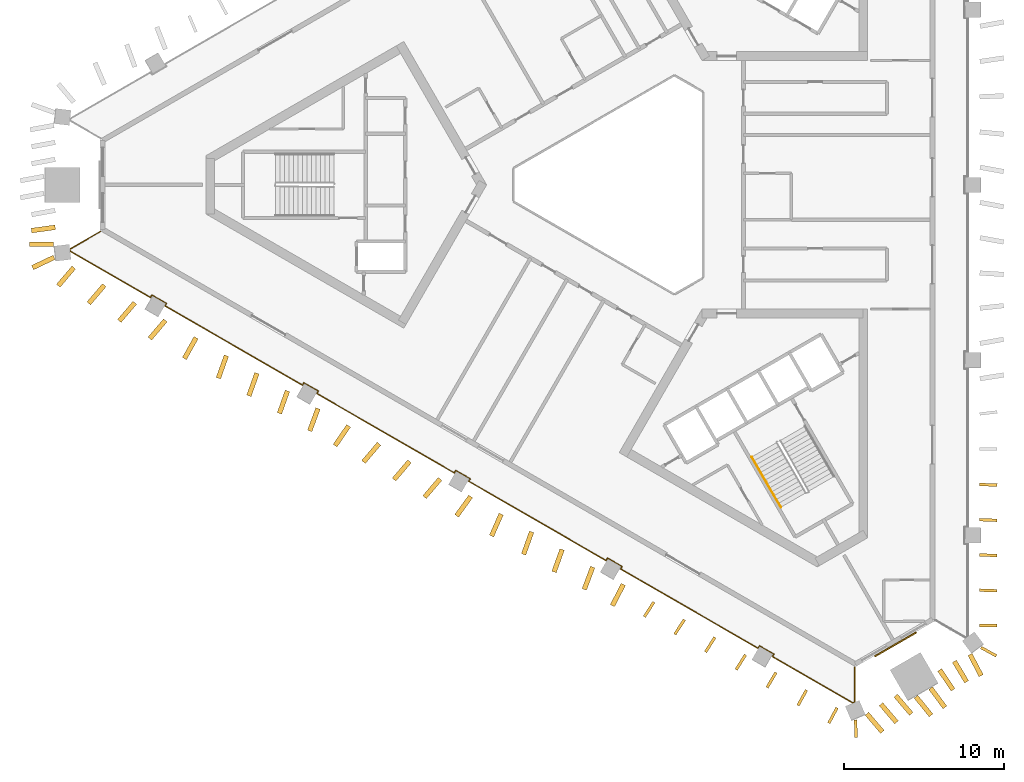
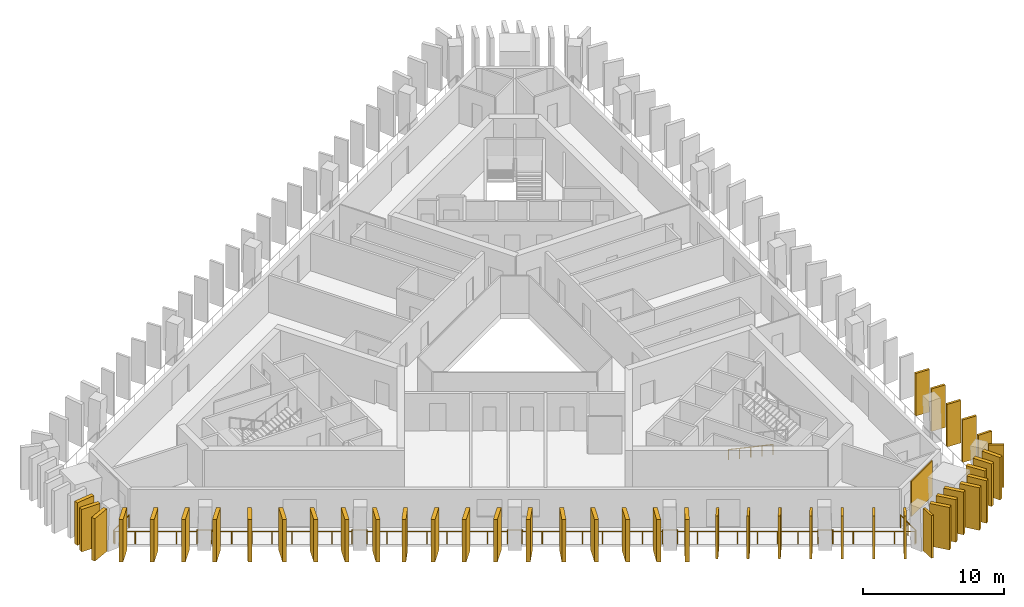
# One storey, part 7 of 10: 44 shading devices, 2 railings, 1 covering.
"""IFC4 building model written with IfcOpenShell, lengths in metres."""

from ifc_helpers import new_model, si_unit, direction, frame, frame_2d, origin, origin_2d, place, context, subcontext, project, spatial, rectangle, circle, extrude, material, layer, layer_set, type_object, element, save


model = new_model("IFC4")

# Units and contexts
model_context = context("Model", 3, precision=1e-05, world=origin(), true_north=direction((0.0, 1.0)))
body_context = subcontext(model_context, "Body", "Model", "MODEL_VIEW")
ifc_project = project(units=[si_unit("LENGTHUNIT", "METRE"), si_unit("AREAUNIT", "SQUARE_METRE"), si_unit("VOLUMEUNIT", "CUBIC_METRE"), si_unit("PLANEANGLEUNIT", "RADIAN"), si_unit("MASSUNIT", "GRAM", prefix="KILO")], contexts=[model_context])

# Site, building, storey
site_placement = place(None, origin())
site = spatial("IfcSite", under=ifc_project, at=site_placement, CompositionType="ELEMENT")
building_placement = place(site_placement, origin())
building = spatial("IfcBuilding", under=site, at=building_placement, Name="Jabali Bay Hotel Tower and Convention Centre", CompositionType="ELEMENT")
storey_placement = place(building_placement, frame((0.0, 0.0, 156.300048828125)))
storey = spatial("IfcBuildingStorey", under=building, at=storey_placement, Name="L37", CompositionType="ELEMENT", Elevation=156.300048828125)

# Railing
ifc_material_1 = material(Name="Glass", Category="glass")
railing_type_1 = type_object("IfcRailingType", Name="Loggia glass guard 1100", PredefinedType="BALUSTRADE", material=ifc_material_1)
railing_1_placement = place(storey_placement, frame((89.071533203125, 49.76318359375, 0.0)))
element("IfcRailing", 1, at=railing_1_placement, inside=storey, type_object=railing_type_1, Name="Loggia glass guard L37", PredefinedType="BALUSTRADE", context=body_context, shape_type="SweptSolid", body=[
    extrude(circle(Radius=0.02490234375, at=origin_2d()), frame((0.0, 0.0, 1.0751953125), z_axis=(0.0, -1.0, 0.0), x_axis=(0.991444861374, 0.0, 0.13052619222)), (0.0, 0.0, 1.0), 2.19287109375),
    extrude(circle(Radius=0.02490234375, at=origin_2d()), frame((0.0, -2.19287109375, 1.0751953125), z_axis=(-0.9195450827, -0.39298453008, 0.0), x_axis=(0.389622492947, -0.911678247044, 0.13052619222)), (0.0, 0.0, 1.0), 0.126220703125),
    extrude(circle(Radius=0.02490234375, at=origin_2d()), frame((-0.115966796875, -2.242431640625, 1.0751953125), z_axis=(-0.866040845502, 0.499973253207, 0.0), x_axis=(-0.495695912716, -0.858631746013, 0.13052619222)), (0.0, 0.0, 1.0), 5.814208984375),
    extrude(circle(Radius=0.02490234375, at=origin_2d()), frame((-5.1513671875, 0.66455078125, 1.0751953125), z_axis=(0.500486622847, 0.865744269604, 0.0), x_axis=(-0.858337707362, 0.496204890408, 0.13052619222)), (0.0, 0.0, 1.0), 0.175048828125),
    extrude(circle(Radius=0.02490234375, at=origin_2d()), frame((-5.063720703125, 0.816162109375, 1.0751953125), z_axis=(-0.865988129768, 0.500064554934, 0.0), x_axis=(-0.495786433345, -0.858579481269, 0.13052619222)), (0.0, 0.0, 1.0), 1.050048828125),
    extrude(circle(Radius=0.02490234375, at=origin_2d()), frame((-5.97314453125, 1.34130859375, 1.0751953125), z_axis=(-0.499440622861, -0.866348119543, 0.0), x_axis=(0.858936391282, -0.495167839097, 0.13052619222)), (0.0, 0.0, 1.0), 0.175048828125),
    extrude(circle(Radius=0.02490234375, at=origin_2d()), frame((-6.060546875, 1.189697265625, 1.0751953125), z_axis=(-0.86603307306, 0.49998671619, 0.0), x_axis=(-0.495709260521, -0.858624040065, 0.13052619222)), (0.0, 0.0, 1.0), 9.943115234375),
    extrude(circle(Radius=0.02490234375, at=origin_2d()), frame((-14.671630859375, 6.1611328125, 1.0751953125), z_axis=(0.499440622861, 0.866348119543, 0.0), x_axis=(-0.858936391282, 0.495167839097, 0.13052619222)), (0.0, 0.0, 1.0), 0.175048828125),
    extrude(circle(Radius=0.02490234375, at=origin_2d()), frame((-14.584228515625, 6.312744140625, 1.0751953125), z_axis=(-0.866030680601, 0.499990860175, 0.0), x_axis=(-0.495713369054, -0.858621668074, 0.13052619222)), (0.0, 0.0, 1.0), 1.0498046875),
    extrude(circle(Radius=0.02490234375, at=origin_2d()), frame((-15.493408203125, 6.837646484375, 1.0751953125), z_axis=(-0.501091290591, -0.865394429433, 0.0), x_axis=(0.857990860123, -0.496804385136, 0.13052619222)), (0.0, 0.0, 1.0), 0.1748046875),
    extrude(circle(Radius=0.02490234375, at=origin_2d()), frame((-15.5810546875, 6.686279296875, 1.0751953125), z_axis=(-0.866026934769, 0.499997348248, 0.0), x_axis=(-0.495719801621, -0.858617954288, 0.13052619222)), (0.0, 0.0, 1.0), 9.94287109375),
    extrude(circle(Radius=0.02490234375, at=origin_2d()), frame((-24.19189453125, 11.65771484375, 1.0751953125), z_axis=(0.499440622861, 0.866348119543, 0.0), x_axis=(-0.858936391282, 0.495167839097, 0.13052619222)), (0.0, 0.0, 1.0), 0.175048828125),
    extrude(circle(Radius=0.02490234375, at=origin_2d()), frame((-24.1044921875, 11.809326171875, 1.0751953125), z_axis=(-0.866030680601, 0.499990860175, 0.0), x_axis=(-0.495713369054, -0.858621668074, 0.13052619222)), (0.0, 0.0, 1.0), 1.0498046875),
    extrude(circle(Radius=0.02490234375, at=origin_2d()), frame((-25.013671875, 12.334228515625, 1.0751953125), z_axis=(-0.501091290591, -0.865394429433, 0.0), x_axis=(0.857990860123, -0.496804385136, 0.13052619222)), (0.0, 0.0, 1.0), 0.1748046875),
    extrude(circle(Radius=0.02490234375, at=origin_2d()), frame((-25.101318359375, 12.182861328125, 1.0751953125), z_axis=(-0.866026934769, 0.499997348248, 0.0), x_axis=(-0.495719801621, -0.858617954288, 0.13052619222)), (0.0, 0.0, 1.0), 9.94287109375),
    extrude(circle(Radius=0.02490234375, at=origin_2d()), frame((-33.712158203125, 17.154296875, 1.0751953125), z_axis=(0.499440622861, 0.866348119543, 0.0), x_axis=(-0.858936391282, 0.495167839097, 0.13052619222)), (0.0, 0.0, 1.0), 0.175048828125),
    extrude(circle(Radius=0.02490234375, at=origin_2d()), frame((-33.624755859375, 17.305908203125, 1.0751953125), z_axis=(-0.866088799389, 0.499890179513, 0.0), x_axis=(-0.495613549729, -0.858679289647, 0.13052619222)), (0.0, 0.0, 1.0), 1.050048828125),
    extrude(circle(Radius=0.02490234375, at=origin_2d()), frame((-34.5341796875, 17.830810546875, 1.0751953125), z_axis=(-0.499440622861, -0.866348119543, 0.0), x_axis=(0.858936391282, -0.495167839097, 0.13052619222)), (0.0, 0.0, 1.0), 0.175048828125),
    extrude(circle(Radius=0.02490234375, at=origin_2d()), frame((-34.62158203125, 17.67919921875, 1.0751953125), z_axis=(-0.866022441125, 0.500005131441, 0.0), x_axis=(-0.495727518228, -0.858613499088, 0.13052619222)), (0.0, 0.0, 1.0), 9.943359375),
    extrude(circle(Radius=0.02490234375, at=origin_2d()), frame((-43.232666015625, 22.65087890625, 1.0751953125), z_axis=(0.500486622847, 0.865744269604, 0.0), x_axis=(-0.858337707362, 0.496204890408, 0.13052619222)), (0.0, 0.0, 1.0), 0.175048828125),
    extrude(circle(Radius=0.02490234375, at=origin_2d()), frame((-43.14501953125, 22.802490234375, 1.0751953125), z_axis=(-0.866088799389, 0.499890179513, 0.0), x_axis=(-0.495613549729, -0.858679289647, 0.13052619222)), (0.0, 0.0, 1.0), 1.050048828125),
    extrude(circle(Radius=0.02490234375, at=origin_2d()), frame((-44.054443359375, 23.327392578125, 1.0751953125), z_axis=(-0.499440622861, -0.866348119543, 0.0), x_axis=(0.858936391282, -0.495167839097, 0.13052619222)), (0.0, 0.0, 1.0), 0.175048828125),
    extrude(circle(Radius=0.02490234375, at=origin_2d()), frame((-44.141845703125, 23.17578125, 1.0751953125), z_axis=(-0.866022663817, 0.500004745733, 0.0), x_axis=(-0.495727135819, -0.858613719875, 0.13052619222)), (0.0, 0.0, 1.0), 5.814453125),
    extrude(circle(Radius=0.02490234375, at=origin_2d()), frame((-49.17724609375, 26.0830078125, 1.0751953125), z_axis=(-0.118076557849, 0.993004494696, 0.0), x_axis=(-0.984509203588, -0.117066396528, 0.13052619222)), (0.0, 0.0, 1.0), 0.126220703125),
    extrude(circle(Radius=0.02490234375, at=origin_2d()), frame((-49.192138671875, 26.208251953125, 1.0751953125), z_axis=(0.866007583809, 0.500030863832, 0.0), x_axis=(-0.495753030475, 0.858598768878, 0.13052619222)), (0.0, 0.0, 1.0), 2.192626953125),
    extrude(circle(Radius=0.02001953125, at=origin_2d()), origin(), (0.0, 0.0, 1.0), 1.050048828125),
    extrude(circle(Radius=0.02001953125, at=origin_2d()), frame((0.0, -1.096435546875, 0.0)), (0.0, 0.0, 1.0), 1.050048828125),
    extrude(circle(Radius=0.02001953125, at=origin_2d()), frame((0.0, -2.19287109375, 0.0)), (0.0, 0.0, 1.0), 1.050048828125),
    extrude(circle(Radius=0.02001953125, at=origin_2d()), frame((-0.115966796875, -2.242431640625, 0.0)), (0.0, 0.0, 1.0), 1.050048828125),
    extrude(circle(Radius=0.02001953125, at=origin_2d()), frame((-1.374755859375, -1.515625, 0.0)), (0.0, 0.0, 1.0), 1.050048828125),
    extrude(circle(Radius=0.02001953125, at=origin_2d()), frame((-2.6337890625, -0.7890625, 0.0)), (0.0, 0.0, 1.0), 1.050048828125),
    extrude(circle(Radius=0.02001953125, at=origin_2d()), frame((-3.892578125, -0.062255859375, 0.0)), (0.0, 0.0, 1.0), 1.050048828125),
    extrude(circle(Radius=0.02001953125, at=origin_2d()), frame((-5.1513671875, 0.66455078125, 0.0)), (0.0, 0.0, 1.0), 1.050048828125),
    extrude(circle(Radius=0.02001953125, at=origin_2d()), frame((-5.063720703125, 0.816162109375, 0.0)), (0.0, 0.0, 1.0), 1.050048828125),
    extrude(circle(Radius=0.02001953125, at=origin_2d()), frame((-5.97314453125, 1.34130859375, 0.0)), (0.0, 0.0, 1.0), 1.050048828125),
    extrude(circle(Radius=0.02001953125, at=origin_2d()), frame((-6.060546875, 1.189697265625, 0.0)), (0.0, 0.0, 1.0), 1.050048828125),
    extrude(circle(Radius=0.02001953125, at=origin_2d()), frame((-7.290771484375, 1.89990234375, 0.0)), (0.0, 0.0, 1.0), 1.050048828125),
    extrude(circle(Radius=0.02001953125, at=origin_2d()), frame((-8.520751953125, 2.610107421875, 0.0)), (0.0, 0.0, 1.0), 1.050048828125),
    extrude(circle(Radius=0.02001953125, at=origin_2d()), frame((-9.7509765625, 3.3203125, 0.0)), (0.0, 0.0, 1.0), 1.050048828125),
    extrude(circle(Radius=0.02001953125, at=origin_2d()), frame((-10.981201171875, 4.030517578125, 0.0)), (0.0, 0.0, 1.0), 1.050048828125),
    extrude(circle(Radius=0.02001953125, at=origin_2d()), frame((-12.21142578125, 4.74072265625, 0.0)), (0.0, 0.0, 1.0), 1.050048828125),
    extrude(circle(Radius=0.02001953125, at=origin_2d()), frame((-13.44140625, 5.450927734375, 0.0)), (0.0, 0.0, 1.0), 1.050048828125),
    extrude(circle(Radius=0.02001953125, at=origin_2d()), frame((-14.671630859375, 6.1611328125, 0.0)), (0.0, 0.0, 1.0), 1.050048828125),
    extrude(circle(Radius=0.02001953125, at=origin_2d()), frame((-14.584228515625, 6.312744140625, 0.0)), (0.0, 0.0, 1.0), 1.050048828125),
    extrude(circle(Radius=0.02001953125, at=origin_2d()), frame((-15.493408203125, 6.837646484375, 0.0)), (0.0, 0.0, 1.0), 1.050048828125),
    extrude(circle(Radius=0.02001953125, at=origin_2d()), frame((-15.5810546875, 6.686279296875, 0.0)), (0.0, 0.0, 1.0), 1.050048828125),
    extrude(circle(Radius=0.02001953125, at=origin_2d()), frame((-16.811279296875, 7.396484375, 0.0)), (0.0, 0.0, 1.0), 1.050048828125),
    extrude(circle(Radius=0.02001953125, at=origin_2d()), frame((-18.041259765625, 8.106689453125, 0.0)), (0.0, 0.0, 1.0), 1.050048828125),
    extrude(circle(Radius=0.02001953125, at=origin_2d()), frame((-19.271484375, 8.81689453125, 0.0)), (0.0, 0.0, 1.0), 1.050048828125),
    extrude(circle(Radius=0.02001953125, at=origin_2d()), frame((-20.50146484375, 9.527099609375, 0.0)), (0.0, 0.0, 1.0), 1.050048828125),
    extrude(circle(Radius=0.02001953125, at=origin_2d()), frame((-21.731689453125, 10.2373046875, 0.0)), (0.0, 0.0, 1.0), 1.050048828125),
    extrude(circle(Radius=0.02001953125, at=origin_2d()), frame((-22.961669921875, 10.947509765625, 0.0)), (0.0, 0.0, 1.0), 1.050048828125),
    extrude(circle(Radius=0.02001953125, at=origin_2d()), frame((-24.19189453125, 11.65771484375, 0.0)), (0.0, 0.0, 1.0), 1.050048828125),
    extrude(circle(Radius=0.02001953125, at=origin_2d()), frame((-24.1044921875, 11.809326171875, 0.0)), (0.0, 0.0, 1.0), 1.050048828125),
    extrude(circle(Radius=0.02001953125, at=origin_2d()), frame((-25.013671875, 12.334228515625, 0.0)), (0.0, 0.0, 1.0), 1.050048828125),
    extrude(circle(Radius=0.02001953125, at=origin_2d()), frame((-25.101318359375, 12.182861328125, 0.0)), (0.0, 0.0, 1.0), 1.050048828125),
    extrude(circle(Radius=0.02001953125, at=origin_2d()), frame((-26.33154296875, 12.89306640625, 0.0)), (0.0, 0.0, 1.0), 1.050048828125),
    extrude(circle(Radius=0.02001953125, at=origin_2d()), frame((-27.5615234375, 13.603271484375, 0.0)), (0.0, 0.0, 1.0), 1.050048828125),
    extrude(circle(Radius=0.02001953125, at=origin_2d()), frame((-28.791748046875, 14.3134765625, 0.0)), (0.0, 0.0, 1.0), 1.050048828125),
    extrude(circle(Radius=0.02001953125, at=origin_2d()), frame((-30.021728515625, 15.023681640625, 0.0)), (0.0, 0.0, 1.0), 1.050048828125),
    extrude(circle(Radius=0.02001953125, at=origin_2d()), frame((-31.251953125, 15.73388671875, 0.0)), (0.0, 0.0, 1.0), 1.050048828125),
    extrude(circle(Radius=0.02001953125, at=origin_2d()), frame((-32.48193359375, 16.444091796875, 0.0)), (0.0, 0.0, 1.0), 1.050048828125),
    extrude(circle(Radius=0.02001953125, at=origin_2d()), frame((-33.712158203125, 17.154296875, 0.0)), (0.0, 0.0, 1.0), 1.050048828125),
    extrude(circle(Radius=0.02001953125, at=origin_2d()), frame((-33.624755859375, 17.305908203125, 0.0)), (0.0, 0.0, 1.0), 1.050048828125),
    extrude(circle(Radius=0.02001953125, at=origin_2d()), frame((-34.5341796875, 17.830810546875, 0.0)), (0.0, 0.0, 1.0), 1.050048828125),
    extrude(circle(Radius=0.02001953125, at=origin_2d()), frame((-34.62158203125, 17.67919921875, 0.0)), (0.0, 0.0, 1.0), 1.050048828125),
    extrude(circle(Radius=0.02001953125, at=origin_2d()), frame((-35.851806640625, 18.389404296875, 0.0)), (0.0, 0.0, 1.0), 1.050048828125),
    extrude(circle(Radius=0.02001953125, at=origin_2d()), frame((-37.081787109375, 19.099609375, 0.0)), (0.0, 0.0, 1.0), 1.050048828125),
    extrude(circle(Radius=0.02001953125, at=origin_2d()), frame((-38.31201171875, 19.809814453125, 0.0)), (0.0, 0.0, 1.0), 1.050048828125),
    extrude(circle(Radius=0.02001953125, at=origin_2d()), frame((-39.542236328125, 20.520263671875, 0.0)), (0.0, 0.0, 1.0), 1.050048828125),
    extrude(circle(Radius=0.02001953125, at=origin_2d()), frame((-40.7724609375, 21.23046875, 0.0)), (0.0, 0.0, 1.0), 1.050048828125),
    extrude(circle(Radius=0.02001953125, at=origin_2d()), frame((-42.00244140625, 21.940673828125, 0.0)), (0.0, 0.0, 1.0), 1.050048828125),
    extrude(circle(Radius=0.02001953125, at=origin_2d()), frame((-43.232666015625, 22.65087890625, 0.0)), (0.0, 0.0, 1.0), 1.050048828125),
    extrude(circle(Radius=0.02001953125, at=origin_2d()), frame((-43.14501953125, 22.802490234375, 0.0)), (0.0, 0.0, 1.0), 1.050048828125),
    extrude(circle(Radius=0.02001953125, at=origin_2d()), frame((-44.054443359375, 23.327392578125, 0.0)), (0.0, 0.0, 1.0), 1.050048828125),
    extrude(circle(Radius=0.02001953125, at=origin_2d()), frame((-44.141845703125, 23.17578125, 0.0)), (0.0, 0.0, 1.0), 1.050048828125),
    extrude(circle(Radius=0.02001953125, at=origin_2d()), frame((-45.400634765625, 23.902587890625, 0.0)), (0.0, 0.0, 1.0), 1.050048828125),
    extrude(circle(Radius=0.02001953125, at=origin_2d()), frame((-46.65966796875, 24.62939453125, 0.0)), (0.0, 0.0, 1.0), 1.050048828125),
    extrude(circle(Radius=0.02001953125, at=origin_2d()), frame((-47.91845703125, 25.356201171875, 0.0)), (0.0, 0.0, 1.0), 1.050048828125),
    extrude(circle(Radius=0.02001953125, at=origin_2d()), frame((-49.17724609375, 26.0830078125, 0.0)), (0.0, 0.0, 1.0), 1.050048828125),
    extrude(circle(Radius=0.02001953125, at=origin_2d()), frame((-49.192138671875, 26.208251953125, 0.0)), (0.0, 0.0, 1.0), 1.050048828125),
    extrude(circle(Radius=0.02001953125, at=origin_2d()), frame((-48.24267578125, 26.75634765625, 0.0)), (0.0, 0.0, 1.0), 1.050048828125),
    extrude(circle(Radius=0.02001953125, at=origin_2d()), frame((-47.293212890625, 27.3046875, 0.0)), (0.0, 0.0, 1.0), 1.050048828125),
])

# Shading devices
ifc_material_2 = material(Name="Precast concrete C60", Category="concrete")
ifc_layer_1 = layer(ifc_material_2, 0.179931640625)
ifc_layer_set_1 = layer_set([ifc_layer_1], Name="Precast concrete C60")
shading_device_type_1 = type_object("IfcShadingDeviceType", Name="Precast fin 3680 x 1100", PredefinedType="USERDEFINED", material=ifc_layer_set_1)
for number, where, z_axis, x_axis, name in (
    (2, (96.900390625, 52.38525390625, 0.010009765625), (0.0, 0.0, 1.0), (0.999997536351, -0.002219750358, 0.0), "Fin L37 000"),
    (3, (96.903564453125, 54.594482421875, 0.010009765625), (0.0, 0.0, 1.0), (0.9993044565, -0.03729079269, 0.0), "Fin L37 001"),
    (4, (96.903564453125, 56.8037109375, 0.010009765625), (0.0, 0.0, 1.0), (0.999270977723, -0.038177389642, 0.0), "Fin L37 002"),
):
    element("IfcShadingDevice", number, at=place(storey_placement, frame(where, z_axis=z_axis, x_axis=x_axis)), inside=storey, type_object=shading_device_type_1, Name=name, ObjectType="FIN", PredefinedType="USERDEFINED", context=body_context, shape_type="SweptSolid", body=[
        extrude(rectangle(XDim=1.099853515625, YDim=0.179931640625, at=frame_2d((0.5498046875, 0.0))), origin(), (0.0, 0.0, 1.0), 3.679931640625),
    ])
shading_device_1_placement = place(storey_placement, frame((96.90380859375, 59.0126953125, 0.010009765625), z_axis=(0.0, 0.0, 1.0), x_axis=(0.999165836859, -0.040836631271, 0.0)))
element("IfcShadingDevice", 5, at=shading_device_1_placement, inside=storey, type_object=shading_device_type_1, Name="Fin L37 003", ObjectType="FIN", PredefinedType="USERDEFINED", context=body_context, shape_type="SweptSolid", body=[
    extrude(rectangle(XDim=1.10009765625, YDim=0.179931640625, at=frame_2d((0.550048828125, 0.0))), origin(), (0.0, 0.0, 1.0), 3.679931640625),
])
shading_device_2_placement = place(storey_placement, frame((96.904052734375, 61.221923828125, 0.010009765625), z_axis=(0.0, 0.0, 1.0), x_axis=(0.999091421959, -0.042618429908, 0.0)))
element("IfcShadingDevice", 6, at=shading_device_2_placement, inside=storey, type_object=shading_device_type_1, Name="Fin L37 004", ObjectType="FIN", PredefinedType="USERDEFINED", context=body_context, shape_type="SweptSolid", body=[
    extrude(rectangle(XDim=1.099853515625, YDim=0.179931640625, at=frame_2d((0.5498046875, 0.0))), origin(), (0.0, 0.0, 1.0), 3.679931640625),
])
shading_device_3_placement = place(storey_placement, frame((76.483642578125, 53.850341796875, 0.010009765625), z_axis=(0.0, 0.0, 1.0), x_axis=(-0.541934772838, -0.84042055067, 0.0)))
element("IfcShadingDevice", 7, at=shading_device_3_placement, inside=storey, type_object=shading_device_type_1, Name="Fin L37 087", ObjectType="FIN", PredefinedType="USERDEFINED", context=body_context, shape_type="SweptSolid", body=[
    extrude(rectangle(XDim=1.10009765625, YDim=0.179931640625, at=frame_2d((0.550048828125, 0.0))), origin(), (0.0, 0.0, 1.0), 3.679931640625),
])
shading_device_4_placement = place(storey_placement, frame((78.396484375, 52.7451171875, 0.010009765625), z_axis=(0.0, 0.0, 1.0), x_axis=(-0.546890508951, -0.837204139514, 0.0)))
element("IfcShadingDevice", 8, at=shading_device_4_placement, inside=storey, type_object=shading_device_type_1, Name="Fin L37 088", ObjectType="FIN", PredefinedType="USERDEFINED", context=body_context, shape_type="SweptSolid", body=[
    extrude(rectangle(XDim=1.099853515625, YDim=0.179931640625, at=frame_2d((0.5498046875, 0.0))), origin(), (0.0, 0.0, 1.0), 3.679931640625),
])
shading_device_5_placement = place(storey_placement, frame((80.310302734375, 51.6416015625, 0.010009765625), z_axis=(0.0, 0.0, 1.0), x_axis=(-0.536803695382, -0.84370717232, 0.0)))
element("IfcShadingDevice", 9, at=shading_device_5_placement, inside=storey, type_object=shading_device_type_1, Name="Fin L37 089", ObjectType="FIN", PredefinedType="USERDEFINED", context=body_context, shape_type="SweptSolid", body=[
    extrude(rectangle(XDim=1.10009765625, YDim=0.179931640625, at=frame_2d((0.550048828125, 0.0))), origin(), (0.0, 0.0, 1.0), 3.679931640625),
])
shading_device_6_placement = place(storey_placement, frame((82.2236328125, 50.537353515625, 0.010009765625), z_axis=(0.0, 0.0, 1.0), x_axis=(-0.532689641282, -0.846310667587, 0.0)))
element("IfcShadingDevice", 10, at=shading_device_6_placement, inside=storey, type_object=shading_device_type_1, Name="Fin L37 090", ObjectType="FIN", PredefinedType="USERDEFINED", context=body_context, shape_type="SweptSolid", body=[
    extrude(rectangle(XDim=1.099853515625, YDim=0.179931640625, at=frame_2d((0.5498046875, 0.0))), origin(), (0.0, 0.0, 1.0), 3.679931640625),
])
for number, where, z_axis, x_axis, name in (
    (11, (84.137939453125, 49.434814453125, 0.010009765625), (0.0, 0.0, 1.0), (-0.510246433238, -0.860028242192, 0.0), "Fin L37 091"),
    (12, (86.051025390625, 48.330078125, 0.010009765625), (0.0, 0.0, 1.0), (-0.487149699412, -0.873318481634, 0.0), "Fin L37 092"),
):
    element("IfcShadingDevice", number, at=place(storey_placement, frame(where, z_axis=z_axis, x_axis=x_axis)), inside=storey, type_object=shading_device_type_1, Name=name, ObjectType="FIN", PredefinedType="USERDEFINED", context=body_context, shape_type="SweptSolid", body=[
        extrude(rectangle(XDim=1.10009765625, YDim=0.179931640625, at=frame_2d((0.550048828125, 0.0))), origin(), (0.0, 0.0, 1.0), 3.679931640625),
    ])
shading_device_7_placement = place(storey_placement, frame((87.96337890625, 47.223876953125, 0.010009765625), z_axis=(0.0, 0.0, 1.0), x_axis=(-0.470323250154, -0.882494215485, 0.0)))
element("IfcShadingDevice", 13, at=shading_device_7_placement, inside=storey, type_object=shading_device_type_1, Name="Fin L37 093", ObjectType="FIN", PredefinedType="USERDEFINED", context=body_context, shape_type="SweptSolid", body=[
    extrude(rectangle(XDim=1.099853515625, YDim=0.179931640625, at=frame_2d((0.5498046875, 0.0))), origin(), (0.0, 0.0, 1.0), 3.679931640625),
])
shading_device_8_placement = place(storey_placement, frame((96.982421875, 51.002197265625, 0.010009765625), z_axis=(0.0, 0.0, 1.0), x_axis=(0.877496649496, -0.479582766707, 0.0)))
element("IfcShadingDevice", 14, at=shading_device_8_placement, inside=storey, type_object=shading_device_type_1, Name="Fin L37 102", ObjectType="FIN", PredefinedType="USERDEFINED", context=body_context, shape_type="SweptSolid", body=[
    extrude(rectangle(XDim=1.10009765625, YDim=0.179931640625, at=frame_2d((0.550048828125, 0.0))), origin(), (0.0, 0.0, 1.0), 3.679931640625),
])
shading_device_9_placement = place(storey_placement, frame((89.12158203125, 46.468994140625, 0.010009765625), z_axis=(0.0, 0.0, 1.0), x_axis=(0.036625787067, -0.999329050774, 0.0)))
element("IfcShadingDevice", 15, at=shading_device_9_placement, inside=storey, type_object=shading_device_type_1, Name="Fin L37 107", ObjectType="FIN", PredefinedType="USERDEFINED", context=body_context, shape_type="SweptSolid", body=[
    extrude(rectangle(XDim=1.099853515625, YDim=0.179931640625, at=frame_2d((0.5498046875, 0.0))), origin(), (0.0, 0.0, 1.0), 3.679931640625),
])
ifc_layer_2 = layer(ifc_material_2, 0.300048828125)
ifc_layer_set_2 = layer_set([ifc_layer_2], Name="Precast concrete C60")
shading_device_type_2 = type_object("IfcShadingDeviceType", Name="Precast fin 3680 x 1500", PredefinedType="USERDEFINED", material=ifc_layer_set_2)
for number, where, z_axis, x_axis, name in (
    (16, (38.957763671875, 77.33740234375, 0.010009765625), (0.0, 0.0, 1.0), (-0.990631003142, -0.13656579225, 0.0), "Fin L37 066"),
    (17, (38.851318359375, 76.2724609375, 0.010009765625), (0.0, 0.0, 1.0), (-0.999981867436, 0.00602202622, 0.0), "Fin L37 067"),
    (18, (40.121337890625, 74.81787109375, 0.010009765625), (0.0, 0.0, 1.0), (-0.648281291341, -0.761400924151, 0.0), "Fin L37 068"),
):
    element("IfcShadingDevice", number, at=place(storey_placement, frame(where, z_axis=z_axis, x_axis=x_axis)), inside=storey, type_object=shading_device_type_2, Name=name, ObjectType="FIN", PredefinedType="USERDEFINED", context=body_context, shape_type="SweptSolid", body=[
        extrude(rectangle(XDim=1.5, YDim=0.300048828125, at=frame_2d((0.75, 0.0))), origin(), (0.0, 0.0, 1.0), 3.679931640625),
    ])
shading_device_10_placement = place(storey_placement, frame((42.034423828125, 73.713134765625, 0.010009765625), z_axis=(0.0, 0.0, 1.0), x_axis=(-0.648361637363, -0.761332507644, 0.0)))
element("IfcShadingDevice", 19, at=shading_device_10_placement, inside=storey, type_object=shading_device_type_2, Name="Fin L37 069", ObjectType="FIN", PredefinedType="USERDEFINED", context=body_context, shape_type="SweptSolid", body=[
    extrude(rectangle(XDim=1.499755859375, YDim=0.300048828125, at=frame_2d((0.75, 0.0))), origin(), (0.0, 0.0, 1.0), 3.679931640625),
])
for number, where, z_axis, x_axis, name in (
    (20, (43.94775390625, 72.608642578125, 0.010009765625), (0.0, 0.0, 1.0), (-0.648281291341, -0.761400924151, 0.0), "Fin L37 070"),
    (21, (45.86083984375, 71.504150390625, 0.010009765625), (0.0, 0.0, 1.0), (-0.648281291341, -0.761400924151, 0.0), "Fin L37 071"),
    (22, (47.78662109375, 70.421142578125, 0.010009765625), (0.0, 0.0, 1.0), (-0.487438304812, -0.873157430823, 0.0), "Fin L37 072"),
    (23, (49.687255859375, 69.294921875, 0.010009765625), (0.0, 0.0, 1.0), (-0.335109201498, -0.942179294546, 0.0), "Fin L37 073"),
    (24, (51.6005859375, 68.190185546875, 0.010009765625), (0.0, 0.0, 1.0), (-0.335305076677, -0.942109603791, 0.0), "Fin L37 074"),
    (25, (53.513671875, 67.085693359375, 0.010009765625), (0.0, 0.0, 1.0), (-0.335109201498, -0.942179294546, 0.0), "Fin L37 075"),
):
    element("IfcShadingDevice", number, at=place(storey_placement, frame(where, z_axis=z_axis, x_axis=x_axis)), inside=storey, type_object=shading_device_type_2, Name=name, ObjectType="FIN", PredefinedType="USERDEFINED", context=body_context, shape_type="SweptSolid", body=[
        extrude(rectangle(XDim=1.5, YDim=0.300048828125, at=frame_2d((0.75, 0.0))), origin(), (0.0, 0.0, 1.0), 3.679931640625),
    ])
shading_device_11_placement = place(storey_placement, frame((55.427734375, 65.982421875, 0.010009765625), z_axis=(0.0, 0.0, 1.0), x_axis=(-0.345569577724, -0.938393130277, 0.0)))
element("IfcShadingDevice", 26, at=shading_device_11_placement, inside=storey, type_object=shading_device_type_2, Name="Fin L37 076", ObjectType="FIN", PredefinedType="USERDEFINED", context=body_context, shape_type="SweptSolid", body=[
    extrude(rectangle(XDim=1.499755859375, YDim=0.300048828125, at=frame_2d((0.75, 0.0))), origin(), (0.0, 0.0, 1.0), 3.679931640625),
])
for number, where, z_axis, x_axis, name in (
    (27, (57.347900390625, 64.889892578125, 0.010009765625), (0.0, 0.0, 1.0), (-0.566363041577, -0.824155874295, 0.0), "Fin L37 077"),
    (28, (59.25341796875, 63.77197265625, 0.010009765625), (0.0, 0.0, 1.0), (-0.648281291341, -0.761400924151, 0.0), "Fin L37 078"),
):
    element("IfcShadingDevice", number, at=place(storey_placement, frame(where, z_axis=z_axis, x_axis=x_axis)), inside=storey, type_object=shading_device_type_2, Name=name, ObjectType="FIN", PredefinedType="USERDEFINED", context=body_context, shape_type="SweptSolid", body=[
        extrude(rectangle(XDim=1.5, YDim=0.300048828125, at=frame_2d((0.75, 0.0))), origin(), (0.0, 0.0, 1.0), 3.679931640625),
    ])
shading_device_12_placement = place(storey_placement, frame((61.16650390625, 62.667236328125, 0.010009765625), z_axis=(0.0, 0.0, 1.0), x_axis=(-0.648361637363, -0.761332507644, 0.0)))
element("IfcShadingDevice", 29, at=shading_device_12_placement, inside=storey, type_object=shading_device_type_2, Name="Fin L37 079", ObjectType="FIN", PredefinedType="USERDEFINED", context=body_context, shape_type="SweptSolid", body=[
    extrude(rectangle(XDim=1.499755859375, YDim=0.300048828125, at=frame_2d((0.75, 0.0))), origin(), (0.0, 0.0, 1.0), 3.679931640625),
])
for number, where, z_axis, x_axis, name in (
    (30, (63.079833984375, 61.562744140625, 0.010009765625), (0.0, 0.0, 1.0), (-0.648281291341, -0.761400924151, 0.0), "Fin L37 080"),
    (31, (64.998779296875, 60.468505859375, 0.010009765625), (0.0, 0.0, 1.0), (-0.585633171648, -0.810576207562, 0.0), "Fin L37 081"),
    (32, (66.91162109375, 59.36279296875, 0.010009765625), (0.0, 0.0, 1.0), (-0.40266225207, -0.915348627987, 0.0), "Fin L37 082"),
    (33, (68.819580078125, 58.2490234375, 0.010009765625), (0.0, 0.0, 1.0), (-0.336418878933, -0.941712449688, 0.0), "Fin L37 083"),
    (34, (70.73291015625, 57.14501953125, 0.010009765625), (0.0, 0.0, 1.0), (-0.339664460595, -0.940546678379, 0.0), "Fin L37 084"),
    (35, (72.64697265625, 56.0419921875, 0.010009765625), (0.0, 0.0, 1.0), (-0.351551473659, -0.93616855393, 0.0), "Fin L37 085"),
    (36, (74.569091796875, 54.952880859375, 0.010009765625), (0.0, 0.0, 1.0), (-0.460317164455, -0.887754531449, 0.0), "Fin L37 086"),
    (37, (89.8359375, 46.8486328125, 0.010009765625), (0.0, 0.0, 1.0), (0.648281291341, -0.761400924151, 0.0), "Fin L37 094"),
    (38, (90.718505859375, 47.449462890625, 0.010009765625), (0.0, 0.0, 1.0), (0.648455975435, -0.76125215791, 0.0), "Fin L37 095"),
):
    element("IfcShadingDevice", number, at=place(storey_placement, frame(where, z_axis=z_axis, x_axis=x_axis)), inside=storey, type_object=shading_device_type_2, Name=name, ObjectType="FIN", PredefinedType="USERDEFINED", context=body_context, shape_type="SweptSolid", body=[
        extrude(rectangle(XDim=1.5, YDim=0.300048828125, at=frame_2d((0.75, 0.0))), origin(), (0.0, 0.0, 1.0), 3.679931640625),
    ])
shading_device_13_placement = place(storey_placement, frame((91.640869140625, 47.982177734375, 0.010009765625), z_axis=(0.0, 0.0, 1.0), x_axis=(0.64837563468, -0.761320587107, 0.0)))
element("IfcShadingDevice", 39, at=shading_device_13_placement, inside=storey, type_object=shading_device_type_2, Name="Fin L37 096", ObjectType="FIN", PredefinedType="USERDEFINED", context=body_context, shape_type="SweptSolid", body=[
    extrude(rectangle(XDim=1.500244140625, YDim=0.300048828125, at=frame_2d((0.75, 0.0))), origin(), (0.0, 0.0, 1.0), 3.679931640625),
])
for number, where, z_axis, x_axis, name in (
    (40, (92.9111328125, 47.912109375, 0.010009765625), (0.0, 0.0, 1.0), (0.629703754515, -0.77683536322, 0.0), "Fin L37 097"),
    (41, (93.830322265625, 48.44970703125, 0.010009765625), (0.0, 0.0, 1.0), (0.59783628911, -0.801618220491, 0.0), "Fin L37 098"),
    (42, (94.3994140625, 49.59423828125, 0.010009765625), (0.0, 0.0, 1.0), (0.557926088478, -0.829890643275, 0.0), "Fin L37 099"),
    (43, (95.317626953125, 50.133544921875, 0.010009765625), (0.0, 0.0, 1.0), (0.512699461786, -0.858568146325, 0.0), "Fin L37 100"),
    (44, (96.300537109375, 50.5615234375, 0.010009765625), (0.0, 0.0, 1.0), (0.464706294531, -0.88546488345, 0.0), "Fin L37 101"),
    (45, (38.8857421875, 75.45556640625, 0.010009765625), (0.0, 0.0, 1.0), (-0.902291153966, -0.431127212636, 0.0), "Fin L37 106"),
):
    element("IfcShadingDevice", number, at=place(storey_placement, frame(where, z_axis=z_axis, x_axis=x_axis)), inside=storey, type_object=shading_device_type_2, Name=name, ObjectType="FIN", PredefinedType="USERDEFINED", context=body_context, shape_type="SweptSolid", body=[
        extrude(rectangle(XDim=1.5, YDim=0.300048828125, at=frame_2d((0.75, 0.0))), origin(), (0.0, 0.0, 1.0), 3.679931640625),
    ])

# Covering
ifc_material_3 = material(Name="Precast concrete C40/50", Category="concrete")
ifc_layer_3 = layer(ifc_material_3, 0.080078125)
ifc_layer_set_3 = layer_set([ifc_layer_3], Name="Precast concrete C40/50")
covering_type = type_object("IfcCoveringType", Name="Relief panel 3000 x 3050", PredefinedType="CLADDING", material=ifc_layer_set_3)
covering_placement = place(storey_placement, frame((91.630859375, 51.194580078125, 0.10009765625), z_axis=(0.0, 0.0, 1.0), x_axis=(-0.866025333692, -0.500000121404, 0.0)))
element("IfcCovering", 46, at=covering_placement, inside=storey, type_object=covering_type, Name="Relief panel L37", PredefinedType="CLADDING", context=body_context, shape_type="SweptSolid", body=[
    extrude(rectangle(XDim=3.0, YDim=0.080078125, at=origin_2d()), origin(), (0.0, 0.0, 1.0), 3.050048828125),
])

# Railing
ifc_material_4 = material(Name="Steel Q355B", Category="steel")
railing_type_2 = type_object("IfcRailingType", Name="Stair handrail 900", PredefinedType="HANDRAIL", material=ifc_material_4)
railing_2_placement = place(storey_placement, frame((82.622802734375, 62.94677734375, 0.132080078125)))
element("IfcRailing", 47, at=railing_2_placement, inside=storey, type_object=railing_type_2, Name="L37 ST3 stair handrail 1", PredefinedType="HANDRAIL", context=body_context, shape_type="SweptSolid", body=[
    extrude(circle(Radius=0.02392578125, at=origin_2d()), frame((0.0, 0.0, 0.8759765625), z_axis=(0.452190331055, -0.783190014029, 0.426775475427), x_axis=(0.866018046521, 0.500012742938, 0.0)), (0.0, 0.0, 1.0), 4.02490234375),
    extrude(circle(Radius=0.02099609375, at=origin_2d()), origin(), (0.0, 0.0, 1.0), 0.851806640625),
    extrude(circle(Radius=0.02099609375, at=origin_2d()), frame((0.455078125, -0.7880859375, 0.429443359375)), (0.0, 0.0, 1.0), 0.851806640625),
    extrude(circle(Radius=0.02099609375, at=origin_2d()), frame((0.91015625, -1.576171875, 0.85888671875)), (0.0, 0.0, 1.0), 0.851806640625),
    extrude(circle(Radius=0.02099609375, at=origin_2d()), frame((1.364990234375, -2.3642578125, 1.288330078125)), (0.0, 0.0, 1.0), 0.851806640625),
    extrude(circle(Radius=0.02099609375, at=origin_2d()), frame((1.820068359375, -3.15234375, 1.7177734375)), (0.0, 0.0, 1.0), 0.851806640625),
])

save(model, "model.ifc")
